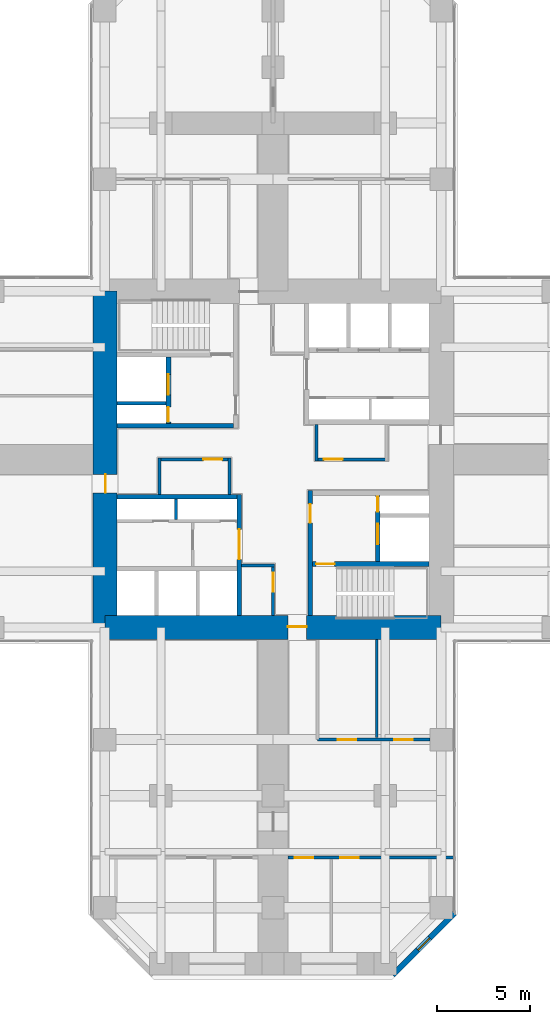
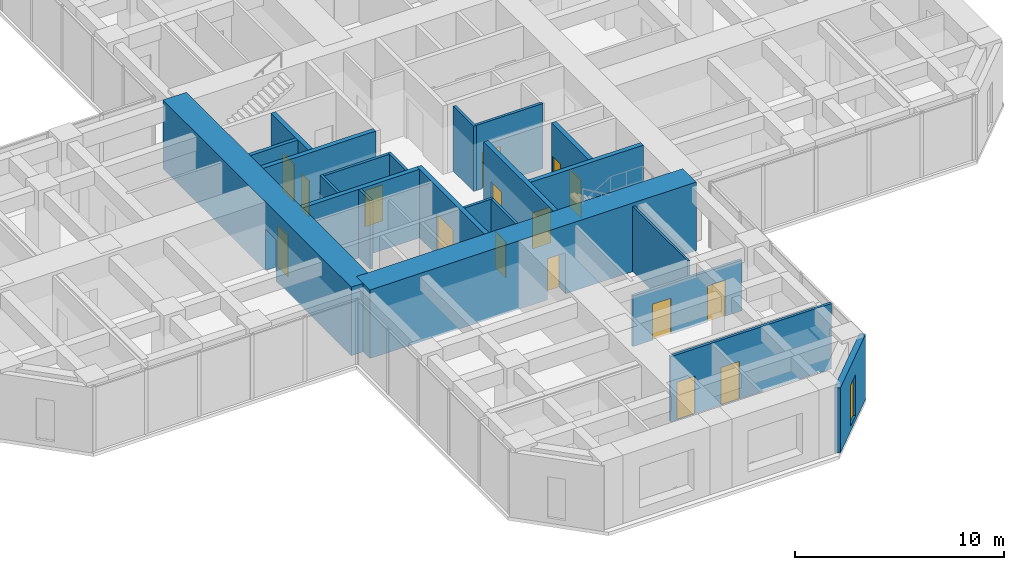
# One storey, part 9 of 13: 22 walls, 16 doors, 1 window, 17 openings.
"""IFC4 building model written with IfcOpenShell, lengths in metres."""

from ifc_helpers import new_model, si_unit, direction, frame, frame_2d, origin, place, context, subcontext, project, spatial, rectangle, hollow_rectangle, extrude, material, layer, layer_set, constituent, constituent_set, type_object, element, fill, save


model = new_model("IFC4")

# Units and contexts
model_context = context("Model", 3, precision=1e-05, world=origin(), true_north=direction((0.0, 1.0)))
body_context = subcontext(model_context, "Body", "Model", "MODEL_VIEW")
ifc_project = project(units=[si_unit("LENGTHUNIT", "METRE"), si_unit("AREAUNIT", "SQUARE_METRE"), si_unit("VOLUMEUNIT", "CUBIC_METRE"), si_unit("PLANEANGLEUNIT", "RADIAN"), si_unit("MASSUNIT", "GRAM", prefix="KILO")], contexts=[model_context])

# Site, building, storey
site_placement = place(None, origin())
site = spatial("IfcSite", under=ifc_project, at=site_placement, CompositionType="ELEMENT")
building_placement = place(site_placement, origin())
building = spatial("IfcBuilding", under=site, at=building_placement, Name="Torre Cruceta", CompositionType="ELEMENT")
storey_placement = place(building_placement, frame((0.0, 0.0, 27.5)))
storey = spatial("IfcBuildingStorey", under=building, at=storey_placement, Name="L06", CompositionType="ELEMENT", Elevation=27.5)

# Wall
ifc_material_1 = material(Name="Concrete G60 (fck 60 MPa)", Category="concrete")
ifc_layer_1 = layer(ifc_material_1, 0.25)
ifc_layer_set_1 = layer_set([ifc_layer_1], Name="Concrete G60 (fck 60 MPa)")
wall_type_1 = type_object("IfcWallType", Name="CORE INNER WALL 250 G60", PredefinedType="SHEAR", material=ifc_layer_set_1)
wall_1_placement = place(storey_placement, frame((-2.125, 1.800048828125, 0.0), z_axis=(0.0, 0.0, 1.0), x_axis=(-1.0, 0.0, 0.0)))
element("IfcWall", 1, at=wall_1_placement, inside=storey, type_object=wall_type_1, Name="CW4 L06 NW-CV", PredefinedType="SHEAR", context=body_context, shape_type="SweptSolid", body=[
    extrude(rectangle(XDim=6.22509765625, YDim=0.25, at=frame_2d((3.112548828125, 0.0))), origin(), (0.0, 0.0, 1.0), 4.0),
])

# Wall, openings, doors
wall_2_placement = place(storey_placement, frame((-5.60009765625, 1.925048828125, 0.0), z_axis=(0.0, 0.0, 1.0), x_axis=(0.0, 1.0, 0.0)))
wall_2 = element("IfcWall", 2, at=wall_2_placement, inside=storey, type_object=wall_type_1, Name="CW4 L06 NW-FU", PredefinedType="SHEAR", context=body_context, shape_type="SweptSolid", body=[
    extrude(rectangle(XDim=3.550048828125, YDim=0.25, at=frame_2d((1.77490234375, 0.0))), origin(), (0.0, 0.0, 1.0), 4.0),
])
opening_1_placement = place(wall_2_placement, frame((1.52490234375, 0.0, 0.0)))
opening_1 = element("IfcOpeningElement", 3, at=opening_1_placement, cuts=wall_2, Name="Opening LD1", PredefinedType="OPENING", context=body_context, shape_type="SweptSolid", body=[
    extrude(rectangle(XDim=1.10009765625, YDim=2.199951171875, at=frame_2d((0.550048828125, 1.10009765625))), frame((0.0, 0.135009765625, 0.0), z_axis=(0.0, -1.0, 0.0), x_axis=(1.0, 0.0, 0.0)), (0.0, 0.0, 1.0), 0.27001953125),
])
opening_2_placement = place(wall_2_placement, frame((0.074951171875, 0.0, 0.0)))
opening_2 = element("IfcOpeningElement", 4, at=opening_2_placement, cuts=wall_2, Name="Opening D5", PredefinedType="OPENING", context=body_context, shape_type="SweptSolid", body=[
    extrude(rectangle(XDim=0.800048828125, YDim=2.10009765625, at=frame_2d((0.39990234375, 1.050048828125))), frame((0.0, 0.135009765625, 0.0), z_axis=(0.0, -1.0, 0.0), x_axis=(1.0, 0.0, 0.0)), (0.0, 0.0, 1.0), 0.27001953125),
])
ifc_material_2 = material(Name="Stainless steel 1.4401", Category="steel")
door_type_1 = type_object("IfcDoorType", Name="LIFT LANDING DOOR 1100X2200", OperationType="DOUBLE_DOOR_SLIDING", PredefinedType="DOOR", material=ifc_material_2)
door_1_placement = place(opening_1_placement, origin())
door_1 = element("IfcDoor", 5, at=door_1_placement, inside=storey, type_object=door_type_1, Name="Lift landing door FL1", OperationType="DOUBLE_DOOR_SLIDING", OverallHeight=2.199951171875, OverallWidth=1.10009765625, PredefinedType="DOOR", context=body_context, shape_type="SweptSolid", body=[
    extrude(rectangle(XDim=1.10009765625, YDim=2.199951171875, at=frame_2d((0.550048828125, 1.10009765625))), frame((0.0, 0.02490234375, 0.0), z_axis=(0.0, -1.0, 0.0), x_axis=(1.0, 0.0, 0.0)), (0.0, 0.0, 1.0), 0.050048828125),
])
fill(opening_1, door_1)
ifc_material_3 = material(Name="Steel DX51D", Category="steel")
ifc_constituent_1 = constituent(ifc_material_3, Name="Leaf and frame")
ifc_material_4 = material(Name="Polyester powder coating", Category="paint")
ifc_constituent_2 = constituent(ifc_material_4, Name="Finish")
ifc_constituent_set_1 = constituent_set(constituents=[ifc_constituent_1, ifc_constituent_2], Name="Steel fire door")
door_type_2 = type_object("IfcDoorType", Name="RISER ACCESS DOOR 800X2100", OperationType="SINGLE_SWING_LEFT", PredefinedType="DOOR", material=ifc_constituent_set_1)
door_2_placement = place(opening_2_placement, origin())
door_2 = element("IfcDoor", 6, at=door_2_placement, inside=storey, type_object=door_type_2, Name="D5 L06 NW-RISER", OperationType="SINGLE_SWING_LEFT", OverallHeight=2.10009765625, OverallWidth=0.800048828125, PredefinedType="DOOR", context=body_context, shape_type="SweptSolid", body=[
    extrude(rectangle(XDim=0.800048828125, YDim=2.10009765625, at=frame_2d((0.39990234375, 1.050048828125))), frame((0.0, 0.02490234375, 0.0), z_axis=(0.0, -1.0, 0.0), x_axis=(1.0, 0.0, 0.0)), (0.0, 0.0, 1.0), 0.050048828125),
])
fill(opening_2, door_2)

# Wall, opening, door
wall_3_placement = place(storey_placement, frame((-1.800048828125, -1.875, 0.0), z_axis=(0.0, 0.0, 1.0), x_axis=(0.0, -1.0, 0.0)))
wall_3 = element("IfcWall", 7, at=wall_3_placement, inside=storey, type_object=wall_type_1, Name="CW4 L06 SW-CU", PredefinedType="SHEAR", context=body_context, shape_type="SweptSolid", body=[
    extrude(rectangle(XDim=6.47509765625, YDim=0.25, at=frame_2d((3.237548828125, 0.0))), origin(), (0.0, 0.0, 1.0), 4.0),
])
opening_3_placement = place(wall_3_placement, frame((1.875, 0.0, 0.0)))
opening_3 = element("IfcOpeningElement", 8, at=opening_3_placement, cuts=wall_3, Name="Opening D15", PredefinedType="OPENING", context=body_context, shape_type="SweptSolid", body=[
    extrude(rectangle(XDim=1.60009765625, YDim=2.39990234375, at=frame_2d((0.800048828125, 1.199951171875))), frame((0.0, 0.135009765625, 0.0), z_axis=(0.0, -1.0, 0.0), x_axis=(1.0, 0.0, 0.0)), (0.0, 0.0, 1.0), 0.27001953125),
])
ifc_material_5 = material(Name="Steel DX51D", Category="steel")
ifc_constituent_3 = constituent(ifc_material_5, Name="Leaf and frame")
ifc_material_6 = material(Name="Polyester powder coating", Category="paint")
ifc_constituent_4 = constituent(ifc_material_6, Name="Finish")
ifc_constituent_set_2 = constituent_set(constituents=[ifc_constituent_3, ifc_constituent_4], Name="Steel fire door")
door_type_3 = type_object("IfcDoorType", Name="CORE ROOM DOUBLE DOOR 1600X2400", OperationType="DOUBLE_DOOR_SINGLE_SWING", PredefinedType="DOOR", material=ifc_constituent_set_2)
door_3_placement = place(opening_3_placement, frame((1.60009765625, 0.0, 0.0), z_axis=(0.0, 0.0, 1.0), x_axis=(-1.0, 0.0, 0.0)))
door_3 = element("IfcDoor", 9, at=door_3_placement, inside=storey, type_object=door_type_3, Name="D15 L06 SW-LOBBY", OperationType="DOUBLE_DOOR_SINGLE_SWING", OverallHeight=2.39990234375, OverallWidth=1.60009765625, PredefinedType="DOOR", context=body_context, shape_type="SweptSolid", body=[
    extrude(rectangle(XDim=1.60009765625, YDim=2.39990234375, at=frame_2d((0.800048828125, 1.199951171875))), frame((0.0, 0.025146484375, 0.0), z_axis=(0.0, -1.0, 0.0), x_axis=(1.0, 0.0, 0.0)), (0.0, 0.0, 1.0), 0.050048828125),
])
fill(opening_3, door_3)

# Wall
wall_4_placement = place(storey_placement, frame((-1.925048828125, -2.0, 0.0), z_axis=(0.0, 0.0, 1.0), x_axis=(-1.0, 0.0, 0.0)))
element("IfcWall", 10, at=wall_4_placement, inside=storey, type_object=wall_type_1, Name="CW4 L06 SW-CV", PredefinedType="SHEAR", context=body_context, shape_type="SweptSolid", body=[
    extrude(rectangle(XDim=6.425048828125, YDim=0.25, at=frame_2d((3.21240234375, 0.0))), origin(), (0.0, 0.0, 1.0), 4.0),
])

# Wall, opening, door
wall_5_placement = place(storey_placement, frame((2.0, -1.675048828125, 0.0), z_axis=(0.0, 0.0, 1.0), x_axis=(0.0, -1.0, 0.0)))
wall_5 = element("IfcWall", 11, at=wall_5_placement, inside=storey, type_object=wall_type_1, Name="CW4 L06 SE-CU", PredefinedType="SHEAR", context=body_context, shape_type="SweptSolid", body=[
    extrude(rectangle(XDim=6.675048828125, YDim=0.25, at=frame_2d((3.33740234375, 0.0))), origin(), (0.0, 0.0, 1.0), 4.0),
])
opening_4_placement = place(wall_5_placement, frame((0.72509765625, 0.0, 0.0)))
opening_4 = element("IfcOpeningElement", 12, at=opening_4_placement, cuts=wall_5, Name="Opening D3", PredefinedType="OPENING", context=body_context, shape_type="SweptSolid", body=[
    extrude(rectangle(XDim=1.0, YDim=2.10009765625, at=frame_2d((0.5, 1.050048828125))), frame((0.0, 0.135009765625, 0.0), z_axis=(0.0, -1.0, 0.0), x_axis=(1.0, 0.0, 0.0)), (0.0, 0.0, 1.0), 0.27001953125),
])
ifc_material_7 = material(Name="Steel DX51D", Category="steel")
ifc_constituent_5 = constituent(ifc_material_7, Name="Leaf and frame")
ifc_material_8 = material(Name="Polyester powder coating", Category="paint")
ifc_constituent_6 = constituent(ifc_material_8, Name="Finish")
ifc_constituent_set_3 = constituent_set(constituents=[ifc_constituent_5, ifc_constituent_6], Name="Steel fire door")
door_type_4 = type_object("IfcDoorType", Name="FIRE DOOR 1000X2100", OperationType="SINGLE_SWING_LEFT", PredefinedType="DOOR", material=ifc_constituent_set_3)
door_4_placement = place(opening_4_placement, origin())
door_4 = element("IfcDoor", 13, at=door_4_placement, inside=storey, type_object=door_type_4, Name="D3 L06 SE-LOBBY", OperationType="SINGLE_SWING_LEFT", OverallHeight=2.10009765625, OverallWidth=1.0, PredefinedType="DOOR", context=body_context, shape_type="SweptSolid", body=[
    extrude(rectangle(XDim=1.0, YDim=2.10009765625, at=frame_2d((0.5, 1.050048828125))), frame((0.0, 0.02490234375, 0.0), z_axis=(0.0, -1.0, 0.0), x_axis=(1.0, 0.0, 0.0)), (0.0, 0.0, 1.0), 0.050048828125),
])
fill(opening_4, door_4)

wall_6_placement = place(storey_placement, frame((2.125, -5.60009765625, 0.0), z_axis=(0.0, 0.0, 1.0), x_axis=(1.0, 0.0, 0.0)))
wall_6 = element("IfcWall", 14, at=wall_6_placement, inside=storey, type_object=wall_type_1, Name="CW4 L06 SE-SV", PredefinedType="SHEAR", context=body_context, shape_type="SweptSolid", body=[
    extrude(rectangle(XDim=6.22509765625, YDim=0.25, at=frame_2d((3.112548828125, 0.0))), origin(), (0.0, 0.0, 1.0), 4.0),
])
opening_5_placement = place(wall_6_placement, frame((0.175048828125, 0.0, 0.0)))
opening_5 = element("IfcOpeningElement", 15, at=opening_5_placement, cuts=wall_6, Name="Opening D3", PredefinedType="OPENING", context=body_context, shape_type="SweptSolid", body=[
    extrude(rectangle(XDim=1.0, YDim=2.10009765625, at=frame_2d((0.5, 1.050048828125))), frame((0.0, 0.135009765625, 0.0), z_axis=(0.0, -1.0, 0.0), x_axis=(1.0, 0.0, 0.0)), (0.0, 0.0, 1.0), 0.27001953125),
])
door_5_placement = place(opening_5_placement, frame((1.0, 0.0, 0.0), z_axis=(0.0, 0.0, 1.0), x_axis=(-1.0, 0.0, 0.0)))
door_5 = element("IfcDoor", 16, at=door_5_placement, inside=storey, type_object=door_type_4, Name="D3 L06 SE-STAIR", OperationType="SINGLE_SWING_RIGHT", OverallHeight=2.10009765625, OverallWidth=1.0, PredefinedType="DOOR", context=body_context, shape_type="SweptSolid", body=[
    extrude(rectangle(XDim=1.0, YDim=2.10009765625, at=frame_2d((0.5, 1.050048828125))), frame((0.0, 0.025146484375, 0.0), z_axis=(0.0, -1.0, 0.0), x_axis=(1.0, 0.0, 0.0)), (0.0, 0.0, 1.0), 0.050048828125),
])
fill(opening_5, door_5)

# Wall, openings, doors
wall_7_placement = place(storey_placement, frame((5.60009765625, -1.925048828125, 0.0), z_axis=(0.0, 0.0, 1.0), x_axis=(0.0, -1.0, 0.0)))
wall_7 = element("IfcWall", 17, at=wall_7_placement, inside=storey, type_object=wall_type_1, Name="CW4 L06 SE-FU", PredefinedType="SHEAR", context=body_context, shape_type="SweptSolid", body=[
    extrude(rectangle(XDim=3.550048828125, YDim=0.25, at=frame_2d((1.77490234375, 0.0))), origin(), (0.0, 0.0, 1.0), 4.0),
])
opening_6_placement = place(wall_7_placement, frame((1.52490234375, 0.0, 0.0)))
opening_6 = element("IfcOpeningElement", 18, at=opening_6_placement, cuts=wall_7, Name="Opening LD1", PredefinedType="OPENING", context=body_context, shape_type="SweptSolid", body=[
    extrude(rectangle(XDim=1.10009765625, YDim=2.199951171875, at=frame_2d((0.550048828125, 1.10009765625))), frame((0.0, 0.135009765625, 0.0), z_axis=(0.0, -1.0, 0.0), x_axis=(1.0, 0.0, 0.0)), (0.0, 0.0, 1.0), 0.27001953125),
])
opening_7_placement = place(wall_7_placement, frame((0.074951171875, 0.0, 0.0)))
opening_7 = element("IfcOpeningElement", 19, at=opening_7_placement, cuts=wall_7, Name="Opening D5", PredefinedType="OPENING", context=body_context, shape_type="SweptSolid", body=[
    extrude(rectangle(XDim=0.800048828125, YDim=2.10009765625, at=frame_2d((0.39990234375, 1.050048828125))), frame((0.0, 0.135009765625, 0.0), z_axis=(0.0, -1.0, 0.0), x_axis=(1.0, 0.0, 0.0)), (0.0, 0.0, 1.0), 0.27001953125),
])
door_6_placement = place(opening_6_placement, origin())
door_6 = element("IfcDoor", 20, at=door_6_placement, inside=storey, type_object=door_type_1, Name="Lift landing door FL2", OperationType="DOUBLE_DOOR_SLIDING", OverallHeight=2.199951171875, OverallWidth=1.10009765625, PredefinedType="DOOR", context=body_context, shape_type="SweptSolid", body=[
    extrude(rectangle(XDim=1.10009765625, YDim=2.199951171875, at=frame_2d((0.550048828125, 1.10009765625))), frame((0.0, 0.02490234375, 0.0), z_axis=(0.0, -1.0, 0.0), x_axis=(1.0, 0.0, 0.0)), (0.0, 0.0, 1.0), 0.050048828125),
])
fill(opening_6, door_6)
door_7_placement = place(opening_7_placement, origin())
door_7 = element("IfcDoor", 21, at=door_7_placement, inside=storey, type_object=door_type_2, Name="D5 L06 SE-RISER", OperationType="SINGLE_SWING_LEFT", OverallHeight=2.10009765625, OverallWidth=0.800048828125, PredefinedType="DOOR", context=body_context, shape_type="SweptSolid", body=[
    extrude(rectangle(XDim=0.800048828125, YDim=2.10009765625, at=frame_2d((0.39990234375, 1.050048828125))), frame((0.0, 0.02490234375, 0.0), z_axis=(0.0, -1.0, 0.0), x_axis=(1.0, 0.0, 0.0)), (0.0, 0.0, 1.0), 0.050048828125),
])
fill(opening_7, door_7)

# Wall, opening, door
ifc_material_9 = material(Name="Concrete G60 (fck 60 MPa)", Category="concrete")
ifc_layer_2 = layer(ifc_material_9, 1.300048828125)
ifc_layer_set_2 = layer_set([ifc_layer_2], Name="Concrete G60 (fck 60 MPa)")
wall_type_2 = type_object("IfcWallType", Name="CORE WALL 1300 G60", PredefinedType="SHEAR", material=ifc_layer_set_2)
wall_8_placement = place(storey_placement, frame((-9.0, -9.0, 0.0), z_axis=(0.0, 0.0, 1.0), x_axis=(1.0, 0.0, 0.0)))
wall_8 = element("IfcWall", 22, at=wall_8_placement, inside=storey, type_object=wall_type_2, Name="CW1 L06 CW-S", PredefinedType="SHEAR", context=body_context, shape_type="SweptSolid", body=[
    extrude(rectangle(XDim=18.0, YDim=1.300048828125, at=frame_2d((9.0, 0.0))), origin(), (0.0, 0.0, 1.0), 4.0),
])
opening_8_placement = place(wall_8_placement, frame((9.800048828125, 0.0, 0.0)))
opening_8 = element("IfcOpeningElement", 23, at=opening_8_placement, cuts=wall_8, Name="Opening D4", PredefinedType="OPENING", context=body_context, shape_type="SweptSolid", body=[
    extrude(rectangle(XDim=1.0, YDim=2.39990234375, at=frame_2d((0.5, 1.199951171875))), frame((0.0, 0.659912109375, 0.0), z_axis=(0.0, -1.0, 0.0), x_axis=(1.0, 0.0, 0.0)), (0.0, 0.0, 1.0), 1.320068359375),
])
ifc_material_10 = material(Name="Steel DX51D", Category="steel")
ifc_constituent_7 = constituent(ifc_material_10, Name="Leaf and frame")
ifc_material_11 = material(Name="Polyester powder coating", Category="paint")
ifc_constituent_8 = constituent(ifc_material_11, Name="Finish")
ifc_constituent_set_4 = constituent_set(constituents=[ifc_constituent_7, ifc_constituent_8], Name="Steel fire door")
door_type_5 = type_object("IfcDoorType", Name="CORE ARM DOOR 1000X2400", OperationType="SINGLE_SWING_RIGHT", PredefinedType="DOOR", material=ifc_constituent_set_4)
door_8_placement = place(opening_8_placement, frame((1.0, 0.0, 0.0), z_axis=(0.0, 0.0, 1.0), x_axis=(-1.0, 0.0, 0.0)))
door_8 = element("IfcDoor", 24, at=door_8_placement, inside=storey, type_object=door_type_5, Name="D4 L06 CW-S", OperationType="SINGLE_SWING_RIGHT", OverallHeight=2.39990234375, OverallWidth=1.0, PredefinedType="DOOR", context=body_context, shape_type="SweptSolid", body=[
    extrude(rectangle(XDim=1.0, YDim=2.39990234375, at=frame_2d((0.5, 1.199951171875))), frame((0.0, -0.005126953125, 0.0), z_axis=(0.0, -1.0, 0.0), x_axis=(1.0, 0.0, 0.0)), (0.0, 0.0, 1.0), 0.050048828125),
])
fill(opening_8, door_8)

wall_9_placement = place(storey_placement, frame((-9.0, 9.0, 0.0), z_axis=(0.0, 0.0, 1.0), x_axis=(0.0, -1.0, 0.0)))
wall_9 = element("IfcWall", 25, at=wall_9_placement, inside=storey, type_object=wall_type_2, Name="CW1 L06 CW-W", PredefinedType="SHEAR", context=body_context, shape_type="SweptSolid", body=[
    extrude(rectangle(XDim=18.0, YDim=1.300048828125, at=frame_2d((9.0, 0.0))), origin(), (0.0, 0.0, 1.0), 4.0),
])
opening_9_placement = place(wall_9_placement, frame((9.800048828125, 0.0, 0.0)))
opening_9 = element("IfcOpeningElement", 26, at=opening_9_placement, cuts=wall_9, Name="Opening D4", PredefinedType="OPENING", context=body_context, shape_type="SweptSolid", body=[
    extrude(rectangle(XDim=1.0, YDim=2.39990234375, at=frame_2d((0.5, 1.199951171875))), frame((0.0, 0.659912109375, 0.0), z_axis=(0.0, -1.0, 0.0), x_axis=(1.0, 0.0, 0.0)), (0.0, 0.0, 1.0), 1.320068359375),
])
door_9_placement = place(opening_9_placement, frame((1.0, 0.0, 0.0), z_axis=(0.0, 0.0, 1.0), x_axis=(-1.0, 0.0, 0.0)))
door_9 = element("IfcDoor", 27, at=door_9_placement, inside=storey, type_object=door_type_5, Name="D4 L06 CW-W", OperationType="SINGLE_SWING_RIGHT", OverallHeight=2.39990234375, OverallWidth=1.0, PredefinedType="DOOR", context=body_context, shape_type="SweptSolid", body=[
    extrude(rectangle(XDim=1.0, YDim=2.39990234375, at=frame_2d((0.5, 1.199951171875))), frame((0.0, -0.005126953125, 0.0), z_axis=(0.0, -1.0, 0.0), x_axis=(1.0, 0.0, 0.0)), (0.0, 0.0, 1.0), 0.050048828125),
])
fill(opening_9, door_9)

# Wall, opening, window
ifc_material_12 = material(Name="Concrete G30 (fck 30 MPa)", Category="concrete")
ifc_layer_3 = layer(ifc_material_12, 0.300048828125)
ifc_layer_set_3 = layer_set([ifc_layer_3], Name="Concrete G30 (fck 30 MPa)")
wall_type_3 = type_object("IfcWallType", Name="EXPOSED CONCRETE FACADE WALL 300", PredefinedType="SOLIDWALL", material=ifc_layer_set_3)
wall_10_placement = place(storey_placement, frame((6.418212890625, -27.60009765625, 0.0), z_axis=(0.0, 0.0, 1.0), x_axis=(0.707106781187, 0.707106781187, 0.0)))
wall_10 = element("IfcWall", 28, at=wall_10_placement, inside=storey, type_object=wall_type_3, Name="EW1 facade wall L06 S chamfer 18", PredefinedType="SOLIDWALL", context=body_context, shape_type="SweptSolid", body=[
    extrude(rectangle(XDim=4.66943359375, YDim=0.300048828125, at=frame_2d((2.334716796875, 0.0))), origin(), (0.0, 0.0, 1.0), 3.800048828125),
])
opening_10_placement = place(wall_10_placement, frame((1.884765625, 0.0, 0.300048828125)))
opening_10 = element("IfcOpeningElement", 29, at=opening_10_placement, cuts=wall_10, Name="Opening WN5", PredefinedType="OPENING", context=body_context, shape_type="SweptSolid", body=[
    extrude(rectangle(XDim=0.89990234375, YDim=2.39990234375, at=frame_2d((0.449951171875, 1.199951171875))), frame((0.0, 0.159912109375, 0.0), z_axis=(0.0, -1.0, 0.0), x_axis=(1.0, 0.0, 0.0)), (0.0, 0.0, 1.0), 0.320068359375),
])
ifc_material_13 = material(Name="Aluminium window frame", Category="aluminium")
ifc_constituent_9 = constituent(ifc_material_13, Name="Frame")
ifc_material_14 = material(Name="Laminated insulating glass unit, low-iron clear", Category="glass")
ifc_constituent_10 = constituent(ifc_material_14, Name="Glazing")
ifc_constituent_set_5 = constituent_set(constituents=[ifc_constituent_9, ifc_constituent_10], Name="Aluminium window")
window_type = type_object("IfcWindowType", Name="CHAMFER SLOT WINDOW 900X2400", PartitioningType="SINGLE_PANEL", PredefinedType="WINDOW", material=ifc_constituent_set_5)
window_placement = place(opening_10_placement, origin())
window = element("IfcWindow", 30, at=window_placement, inside=storey, type_object=window_type, Name="WN5 L06 S 1", OverallHeight=2.39990234375, OverallWidth=0.89990234375, PartitioningType="SINGLE_PANEL", PredefinedType="WINDOW", context=body_context, shape_type="SweptSolid", body=[
    extrude(hollow_rectangle(XDim=0.89990234375, YDim=2.39990234375, WallThickness=0.06005859375, at=frame_2d((0.449951171875, 1.199951171875))), frame((0.0, 0.030029296875, 0.0), z_axis=(0.0, -1.0, 0.0), x_axis=(1.0, 0.0, 0.0)), (0.0, 0.0, 1.0), 0.06005859375),
    extrude(rectangle(XDim=0.77880859375, YDim=2.27880859375, at=frame_2d((0.449951171875, 1.199951171875))), frame((0.0, 0.030029296875, 0.0), z_axis=(0.0, -1.0, 0.0), x_axis=(1.0, 0.0, 0.0)), (0.0, 0.0, 1.0), 0.06005859375),
])
fill(opening_10, window)

# Wall
ifc_material_15 = material(Name="Concrete G35 (fck 35 MPa)", Category="concrete")
ifc_layer_4 = layer(ifc_material_15, 0.199951171875)
ifc_layer_set_4 = layer_set([ifc_layer_4], Name="Concrete G35 (fck 35 MPa)")
wall_type_4 = type_object("IfcWallType", Name="LIFT SHAFT WALL 200", PredefinedType="PARTITIONING", material=ifc_layer_set_4)
wall_11_placement = place(storey_placement, frame((-5.72509765625, 3.0, 0.0), z_axis=(0.0, 0.0, 1.0), x_axis=(-1.0, 0.0, 0.0)))
element("IfcWall", 31, at=wall_11_placement, inside=storey, type_object=wall_type_4, Name="SW1 L06 NW-FR", PredefinedType="PARTITIONING", context=body_context, shape_type="SweptSolid", body=[
    extrude(rectangle(XDim=2.625, YDim=0.199951171875, at=frame_2d((1.3125, 0.0))), origin(), (0.0, 0.0, 1.0), 4.0),
])

# Wall, opening, door
ifc_material_16 = material(Name="Plasterboard on steel studs", Category="steel")
ifc_layer_5 = layer(ifc_material_16, 0.14990234375)
ifc_layer_set_5 = layer_set([ifc_layer_5], Name="Plasterboard on steel studs")
wall_type_5 = type_object("IfcWallType", Name="PARTITION 150", PredefinedType="PARTITIONING", material=ifc_layer_set_5)
wall_12_placement = place(storey_placement, frame((2.324951171875, 0.0, 0.0), z_axis=(0.0, 0.0, 1.0), x_axis=(1.0, 0.0, 0.0)))
wall_12 = element("IfcWall", 32, at=wall_12_placement, inside=storey, type_object=wall_type_5, Name="PT1 L06-CORE-LEGE-N-W1", PredefinedType="PARTITIONING", context=body_context, shape_type="SweptSolid", body=[
    extrude(rectangle(XDim=3.75, YDim=0.14990234375, at=frame_2d((1.875, 0.0))), origin(), (0.0, 0.0, 1.0), 3.800048828125),
])
opening_11_placement = place(wall_12_placement, frame((0.39990234375, 0.0, 0.0)))
opening_11 = element("IfcOpeningElement", 33, at=opening_11_placement, cuts=wall_12, Name="Opening D3", PredefinedType="OPENING", context=body_context, shape_type="SweptSolid", body=[
    extrude(rectangle(XDim=1.0, YDim=2.10009765625, at=frame_2d((0.5, 1.050048828125))), frame((0.0, 0.0849609375, 0.0), z_axis=(0.0, -1.0, 0.0), x_axis=(1.0, 0.0, 0.0)), (0.0, 0.0, 1.0), 0.169921875),
])
door_10_placement = place(opening_11_placement, origin())
door_10 = element("IfcDoor", 34, at=door_10_placement, inside=storey, type_object=door_type_4, Name="D3 L06-CORE-LEGE-N-W1-D1", OperationType="SINGLE_SWING_LEFT", OverallHeight=2.10009765625, OverallWidth=1.0, PredefinedType="DOOR", context=body_context, shape_type="SweptSolid", body=[
    extrude(rectangle(XDim=1.0, YDim=2.10009765625, at=frame_2d((0.5, 1.050048828125))), frame((0.0, 0.02490234375, 0.0), z_axis=(0.0, -1.0, 0.0), x_axis=(1.0, 0.0, 0.0)), (0.0, 0.0, 1.0), 0.050048828125),
])
fill(opening_11, door_10)

# Wall
wall_13_placement = place(storey_placement, frame((2.324951171875, 1.875, 0.0), z_axis=(0.0, 0.0, 1.0), x_axis=(0.0, -1.0, 0.0)))
element("IfcWall", 35, at=wall_13_placement, inside=storey, type_object=wall_type_5, Name="PT1 L06-CORE-LEGE-N-W2", PredefinedType="PARTITIONING", context=body_context, shape_type="SweptSolid", body=[
    extrude(rectangle(XDim=1.949951171875, YDim=0.14990234375, at=frame_2d((0.97509765625, 0.0))), origin(), (0.0, 0.0, 1.0), 3.800048828125),
])

# Wall, opening, door
wall_14_placement = place(storey_placement, frame((-2.324951171875, 0.0, 0.0), z_axis=(0.0, 0.0, 1.0), x_axis=(-1.0, 0.0, 0.0)))
wall_14 = element("IfcWall", 36, at=wall_14_placement, inside=storey, type_object=wall_type_5, Name="PT1 L06-CORE-LEGW-S-W1", PredefinedType="PARTITIONING", context=body_context, shape_type="SweptSolid", body=[
    extrude(rectangle(XDim=3.75, YDim=0.14990234375, at=frame_2d((1.875, 0.0))), origin(), (0.0, 0.0, 1.0), 3.800048828125),
])
opening_12_placement = place(wall_14_placement, frame((0.39990234375, 0.0, 0.0)))
opening_12 = element("IfcOpeningElement", 37, at=opening_12_placement, cuts=wall_14, Name="Opening D3", PredefinedType="OPENING", context=body_context, shape_type="SweptSolid", body=[
    extrude(rectangle(XDim=1.0, YDim=2.10009765625, at=frame_2d((0.5, 1.050048828125))), frame((0.0, 0.0849609375, 0.0), z_axis=(0.0, -1.0, 0.0), x_axis=(1.0, 0.0, 0.0)), (0.0, 0.0, 1.0), 0.169921875),
])
door_11_placement = place(opening_12_placement, origin())
door_11 = element("IfcDoor", 38, at=door_11_placement, inside=storey, type_object=door_type_4, Name="D3 L06-CORE-LEGW-S-W1-D1", OperationType="SINGLE_SWING_LEFT", OverallHeight=2.10009765625, OverallWidth=1.0, PredefinedType="DOOR", context=body_context, shape_type="SweptSolid", body=[
    extrude(rectangle(XDim=1.0, YDim=2.10009765625, at=frame_2d((0.5, 1.050048828125))), frame((0.0, 0.02490234375, 0.0), z_axis=(0.0, -1.0, 0.0), x_axis=(1.0, 0.0, 0.0)), (0.0, 0.0, 1.0), 0.050048828125),
])
fill(opening_12, door_11)

# Walls
for number, where, z_axis, x_axis, name in (
    (39, (-2.324951171875, -1.875, 0.0), (0.0, 0.0, 1.0), (0.0, 1.0, 0.0), "PT1 L06-CORE-LEGW-S-W2"),
    (40, (-6.074951171875, 0.074951171875, 0.0), (0.0, 0.0, 1.0), (0.0, -1.0, 0.0), "PT1 L06-CORE-LEGW-S-W3"),
):
    element("IfcWall", number, at=place(storey_placement, frame(where, z_axis=z_axis, x_axis=x_axis)), inside=storey, type_object=wall_type_5, Name=name, PredefinedType="PARTITIONING", context=body_context, shape_type="SweptSolid", body=[
        extrude(rectangle(XDim=1.949951171875, YDim=0.14990234375, at=frame_2d((0.97509765625, 0.0))), origin(), (0.0, 0.0, 1.0), 3.800048828125),
    ])

# Wall, opening, door
wall_15_placement = place(storey_placement, frame((0.0, -5.675048828125, 0.0), z_axis=(0.0, 0.0, 1.0), x_axis=(0.0, -1.0, 0.0)))
wall_15 = element("IfcWall", 41, at=wall_15_placement, inside=storey, type_object=wall_type_5, Name="PT1 L06-CORE-LEGS-W-W1", PredefinedType="PARTITIONING", context=body_context, shape_type="SweptSolid", body=[
    extrude(rectangle(XDim=2.675048828125, YDim=0.14990234375, at=frame_2d((1.33740234375, 0.0))), origin(), (0.0, 0.0, 1.0), 3.800048828125),
])
opening_13_placement = place(wall_15_placement, frame((0.39990234375, 0.0, 0.0)))
opening_13 = element("IfcOpeningElement", 42, at=opening_13_placement, cuts=wall_15, Name="Opening D3", PredefinedType="OPENING", context=body_context, shape_type="SweptSolid", body=[
    extrude(rectangle(XDim=1.0, YDim=2.10009765625, at=frame_2d((0.5, 1.050048828125))), frame((0.0, 0.0849609375, 0.0), z_axis=(0.0, -1.0, 0.0), x_axis=(1.0, 0.0, 0.0)), (0.0, 0.0, 1.0), 0.169921875),
])
door_12_placement = place(opening_13_placement, frame((1.0, 0.0, 0.0), z_axis=(0.0, 0.0, 1.0), x_axis=(-1.0, 0.0, 0.0)))
door_12 = element("IfcDoor", 43, at=door_12_placement, inside=storey, type_object=door_type_4, Name="D3 L06-CORE-LEGS-W-W1-D1", OperationType="SINGLE_SWING_RIGHT", OverallHeight=2.10009765625, OverallWidth=1.0, PredefinedType="DOOR", context=body_context, shape_type="SweptSolid", body=[
    extrude(rectangle(XDim=1.0, YDim=2.10009765625, at=frame_2d((0.5, 1.050048828125))), frame((0.0, 0.025146484375, 0.0), z_axis=(0.0, -1.0, 0.0), x_axis=(1.0, 0.0, 0.0)), (0.0, 0.0, 1.0), 0.050048828125),
])
fill(opening_13, door_12)

# Wall
wall_16_placement = place(storey_placement, frame((-1.675048828125, -5.675048828125, 0.0), z_axis=(0.0, 0.0, 1.0), x_axis=(1.0, 0.0, 0.0)))
element("IfcWall", 44, at=wall_16_placement, inside=storey, type_object=wall_type_5, Name="PT1 L06-CORE-LEGS-W-W2", PredefinedType="PARTITIONING", context=body_context, shape_type="SweptSolid", body=[
    extrude(rectangle(XDim=1.75, YDim=0.14990234375, at=frame_2d((0.875, 0.0))), origin(), (0.0, 0.0, 1.0), 3.800048828125),
])

# Wall, openings, doors
wall_17_placement = place(storey_placement, frame((2.375, -15.0, 0.0), z_axis=(0.0, 0.0, 1.0), x_axis=(1.0, 0.0, 0.0)))
wall_17 = element("IfcWall", 45, at=wall_17_placement, inside=storey, type_object=wall_type_5, Name="PT1 L06-S-BFL", PredefinedType="PARTITIONING", context=body_context, shape_type="SweptSolid", body=[
    extrude(rectangle(XDim=6.02490234375, YDim=0.14990234375, at=frame_2d((3.012451171875, 0.0))), origin(), (0.0, 0.0, 1.0), 2.949951171875),
])
opening_14_placement = place(wall_17_placement, frame((1.08984375, 0.0, 0.0)))
opening_14 = element("IfcOpeningElement", 46, at=opening_14_placement, cuts=wall_17, Name="Opening D3", PredefinedType="OPENING", context=body_context, shape_type="SweptSolid", body=[
    extrude(rectangle(XDim=1.0, YDim=2.10009765625, at=frame_2d((0.5, 1.050048828125))), frame((0.0, 0.0849609375, 0.0), z_axis=(0.0, -1.0, 0.0), x_axis=(1.0, 0.0, 0.0)), (0.0, 0.0, 1.0), 0.169921875),
])
opening_15_placement = place(wall_17_placement, frame((4.102294921875, 0.0, 0.0)))
opening_15 = element("IfcOpeningElement", 47, at=opening_15_placement, cuts=wall_17, Name="Opening D3", PredefinedType="OPENING", context=body_context, shape_type="SweptSolid", body=[
    extrude(rectangle(XDim=1.0, YDim=2.10009765625, at=frame_2d((0.5, 1.050048828125))), frame((0.0, 0.0849609375, 0.0), z_axis=(0.0, -1.0, 0.0), x_axis=(1.0, 0.0, 0.0)), (0.0, 0.0, 1.0), 0.169921875),
])
door_13_placement = place(opening_14_placement, origin())
door_13 = element("IfcDoor", 48, at=door_13_placement, inside=storey, type_object=door_type_4, Name="D3 L06-S-BFL-D1", OperationType="SINGLE_SWING_LEFT", OverallHeight=2.10009765625, OverallWidth=1.0, PredefinedType="DOOR", context=body_context, shape_type="SweptSolid", body=[
    extrude(rectangle(XDim=1.0, YDim=2.10009765625, at=frame_2d((0.5, 1.050048828125))), frame((0.0, 0.02490234375, 0.0), z_axis=(0.0, -1.0, 0.0), x_axis=(1.0, 0.0, 0.0)), (0.0, 0.0, 1.0), 0.050048828125),
])
fill(opening_14, door_13)
door_14_placement = place(opening_15_placement, origin())
door_14 = element("IfcDoor", 49, at=door_14_placement, inside=storey, type_object=door_type_4, Name="D3 L06-S-BFL-D2", OperationType="SINGLE_SWING_LEFT", OverallHeight=2.10009765625, OverallWidth=1.0, PredefinedType="DOOR", context=body_context, shape_type="SweptSolid", body=[
    extrude(rectangle(XDim=1.0, YDim=2.10009765625, at=frame_2d((0.5, 1.050048828125))), frame((0.0, 0.02490234375, 0.0), z_axis=(0.0, -1.0, 0.0), x_axis=(1.0, 0.0, 0.0)), (0.0, 0.0, 1.0), 0.050048828125),
])
fill(opening_15, door_14)

wall_18_placement = place(storey_placement, frame((0.800048828125, -21.320068359375, 0.0), z_axis=(0.0, 0.0, 1.0), x_axis=(1.0, 0.0, 0.0)))
wall_18 = element("IfcWall", 50, at=wall_18_placement, inside=storey, type_object=wall_type_5, Name="PT1 L06-S-TWL", PredefinedType="PARTITIONING", context=body_context, shape_type="SweptSolid", body=[
    extrude(rectangle(XDim=8.8798828125, YDim=0.14990234375, at=frame_2d((4.43994140625, 0.0))), origin(), (0.0, 0.0, 1.0), 3.800048828125),
])
opening_16_placement = place(wall_18_placement, frame((0.35009765625, 0.0, 0.0)))
opening_16 = element("IfcOpeningElement", 51, at=opening_16_placement, cuts=wall_18, Name="Opening D14", PredefinedType="OPENING", context=body_context, shape_type="SweptSolid", body=[
    extrude(rectangle(XDim=1.0, YDim=2.199951171875, at=frame_2d((0.5, 1.10009765625))), frame((0.0, 0.0849609375, 0.0), z_axis=(0.0, -1.0, 0.0), x_axis=(1.0, 0.0, 0.0)), (0.0, 0.0, 1.0), 0.169921875),
])
opening_17_placement = place(wall_18_placement, frame((2.79296875, 0.0, 0.0)))
opening_17 = element("IfcOpeningElement", 52, at=opening_17_placement, cuts=wall_18, Name="Opening D14", PredefinedType="OPENING", context=body_context, shape_type="SweptSolid", body=[
    extrude(rectangle(XDim=1.0, YDim=2.199951171875, at=frame_2d((0.5, 1.10009765625))), frame((0.0, 0.0849609375, 0.0), z_axis=(0.0, -1.0, 0.0), x_axis=(1.0, 0.0, 0.0)), (0.0, 0.0, 1.0), 0.169921875),
])
ifc_material_17 = material(Name="Steel DX51D", Category="steel")
ifc_constituent_11 = constituent(ifc_material_17, Name="Leaf and frame")
ifc_material_18 = material(Name="Polyester powder coating", Category="paint")
ifc_constituent_12 = constituent(ifc_material_18, Name="Finish")
ifc_material_19 = material(Name="Fire-resisting glass", Category="glass")
ifc_constituent_13 = constituent(ifc_material_19, Name="Vision panel")
ifc_constituent_set_6 = constituent_set(constituents=[ifc_constituent_11, ifc_constituent_12, ifc_constituent_13], Name="Steel fire door with vision panel")
door_type_6 = type_object("IfcDoorType", Name="FIRE DOOR VISION PANEL 1000X2200", OperationType="SINGLE_SWING_RIGHT", PredefinedType="DOOR", material=ifc_constituent_set_6)
door_15_placement = place(opening_16_placement, frame((1.0, 0.0, 0.0), z_axis=(0.0, 0.0, 1.0), x_axis=(-1.0, 0.0, 0.0)))
door_15 = element("IfcDoor", 53, at=door_15_placement, inside=storey, type_object=door_type_6, Name="D14 L06-S-TWL-D1", OperationType="SINGLE_SWING_RIGHT", OverallHeight=2.199951171875, OverallWidth=1.0, PredefinedType="DOOR", context=body_context, shape_type="SweptSolid", body=[
    extrude(rectangle(XDim=1.0, YDim=2.199951171875, at=frame_2d((0.5, 1.10009765625))), frame((0.0, 0.025146484375, 0.0), z_axis=(0.0, -1.0, 0.0), x_axis=(1.0, 0.0, 0.0)), (0.0, 0.0, 1.0), 0.050048828125),
])
fill(opening_16, door_15)
door_16_placement = place(opening_17_placement, frame((1.0, 0.0, 0.0), z_axis=(0.0, 0.0, 1.0), x_axis=(-1.0, 0.0, 0.0)))
door_16 = element("IfcDoor", 54, at=door_16_placement, inside=storey, type_object=door_type_6, Name="D14 L06-S-TWL-D2", OperationType="SINGLE_SWING_RIGHT", OverallHeight=2.199951171875, OverallWidth=1.0, PredefinedType="DOOR", context=body_context, shape_type="SweptSolid", body=[
    extrude(rectangle(XDim=1.0, YDim=2.199951171875, at=frame_2d((0.5, 1.10009765625))), frame((0.0, 0.025146484375, 0.0), z_axis=(0.0, -1.0, 0.0), x_axis=(1.0, 0.0, 0.0)), (0.0, 0.0, 1.0), 0.050048828125),
])
fill(opening_17, door_16)

# Walls
ifc_material_20 = material(Name="Concrete block masonry", Category="masonry")
ifc_layer_6 = layer(ifc_material_20, 0.14990234375)
ifc_layer_set_6 = layer_set([ifc_layer_6], Name="Concrete block masonry")
wall_type_6 = type_object("IfcWallType", Name="RISER WALL 150", PredefinedType="PARTITIONING", material=ifc_layer_set_6)
wall_19_placement = place(storey_placement, frame((-5.199951171875, -2.125, 0.0), z_axis=(0.0, 0.0, 1.0), x_axis=(0.0, -1.0, 0.0)))
element("IfcWall", 55, at=wall_19_placement, inside=storey, type_object=wall_type_6, Name="SW7 L06 SW-RU", PredefinedType="PARTITIONING", context=body_context, shape_type="SweptSolid", body=[
    extrude(rectangle(XDim=1.10009765625, YDim=0.14990234375, at=frame_2d((0.550048828125, 0.0))), origin(), (0.0, 0.0, 1.0), 4.0),
])
ifc_material_21 = material(Name="Plasterboard on steel studs", Category="steel")
ifc_layer_7 = layer(ifc_material_21, 0.1201171875)
ifc_layer_set_7 = layer_set([ifc_layer_7], Name="Plasterboard on steel studs")
wall_type_7 = type_object("IfcWallType", Name="WC PARTITION 120", PredefinedType="PLUMBINGWALL", material=ifc_layer_set_7)
wall_20_placement = place(storey_placement, frame((5.554931640625, -9.64990234375, 0.0), z_axis=(0.0, 0.0, 1.0), x_axis=(0.0, -1.0, 0.0)))
element("IfcWall", 56, at=wall_20_placement, inside=storey, type_object=wall_type_7, Name="PT5 L06-S-BDL1", PredefinedType="PLUMBINGWALL", context=body_context, shape_type="SweptSolid", body=[
    extrude(rectangle(XDim=5.25, YDim=0.1201171875, at=frame_2d((2.625, 0.0))), origin(), (0.0, 0.0, 1.0), 3.800048828125),
])

save(model, "model.ifc")
